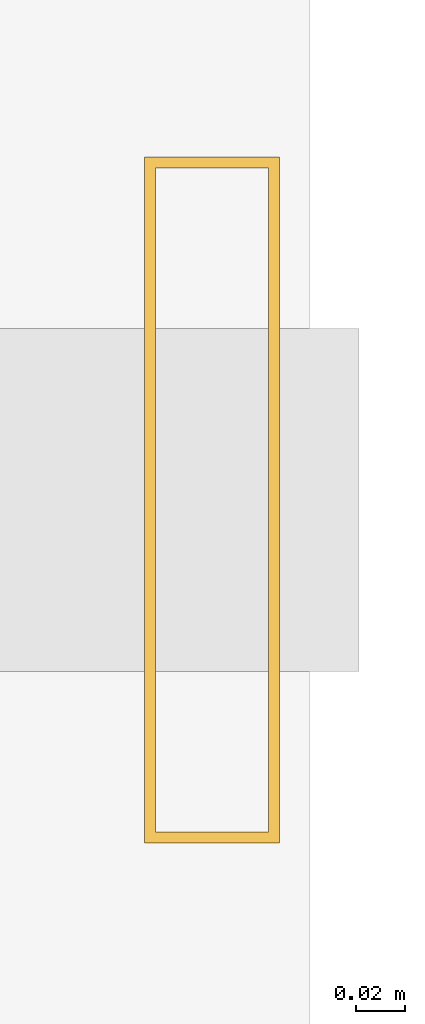
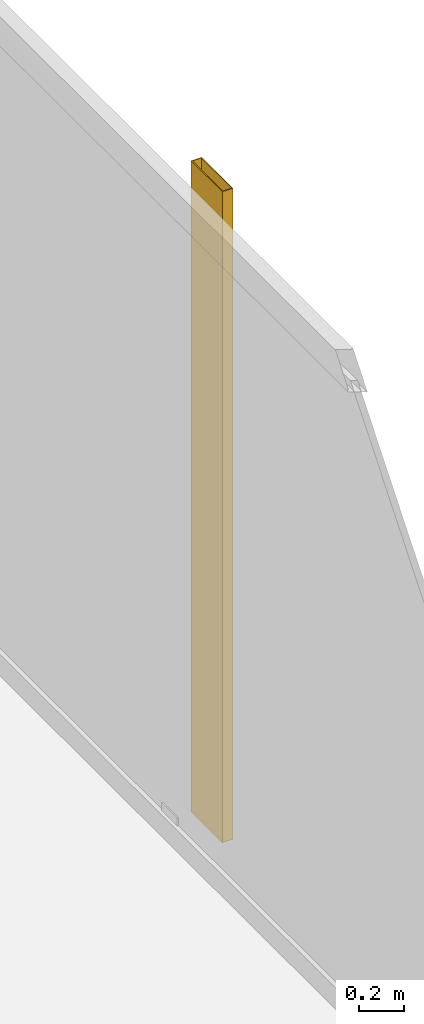
# One storey, part 23 of 23: 1 shading device.
"""IFC4 building model written with IfcOpenShell, lengths in metres."""

from ifc_helpers import new_model, si_unit, direction, frame, origin, origin_2d, place, context, subcontext, project, spatial, hollow_rectangle, extrude, material, material_profile, profile_set, type_object, element, save


model = new_model("IFC4")

# Units and contexts
model_context = context("Model", 3, precision=1e-05, world=origin(), true_north=direction((0.0, 1.0)))
body_context = subcontext(model_context, "Body", "Model", "MODEL_VIEW")
ifc_project = project(units=[si_unit("LENGTHUNIT", "METRE"), si_unit("AREAUNIT", "SQUARE_METRE"), si_unit("VOLUMEUNIT", "CUBIC_METRE"), si_unit("PLANEANGLEUNIT", "RADIAN"), si_unit("MASSUNIT", "GRAM", prefix="KILO")], contexts=[model_context])

# Site, building, storey
site_placement = place(None, origin())
site = spatial("IfcSite", under=ifc_project, at=site_placement, CompositionType="ELEMENT")
building_placement = place(site_placement, origin())
building = spatial("IfcBuilding", under=site, at=building_placement, Name="Kolvaren Waterfront Exchange", CompositionType="ELEMENT")
storey_placement = place(building_placement, frame((0.0, 0.0, 250.10009765625)))
storey = spatial("IfcBuildingStorey", under=building, at=storey_placement, Name="L64", CompositionType="ELEMENT", Elevation=250.10009765625)

# Shading device
ifc_material = material(Name="Anodised bronze aluminium 6063-T6", Category="aluminium")
ifc_material_profile = material_profile(ifc_material, hollow_rectangle(XDim=0.054931640625, YDim=0.280029296875, WallThickness=0.00439453125, at=origin_2d()), Name="BRZ-FIN-280x55x4.5")
ifc_profile_set = profile_set([ifc_material_profile], Name="Anodised bronze aluminium 6063-T6")
shading_device_type = type_object("IfcShadingDeviceType", Name="ARC-FIN-280", PredefinedType="USERDEFINED", material=ifc_profile_set)
shading_device_placement = place(storey_placement, frame((21.360107421875, 37.60009765625, 0.0), z_axis=(0.0, 0.0, 1.0), x_axis=(1.0, 0.0, 0.0)))
element("IfcShadingDevice", 1, at=shading_device_placement, inside=storey, type_object=shading_device_type, Name="L64 anodised bronze solar shading fin FIN-L64-E3", ObjectType="SOLAR FIN", PredefinedType="USERDEFINED", context=body_context, shape_type="SweptSolid", body=[
    extrude(hollow_rectangle(XDim=0.054931640625, YDim=0.280029296875, WallThickness=0.00439453125, at=origin_2d()), origin(), (0.0, 0.0, 1.0), 3.559814453125),
])

save(model, "model.ifc")
